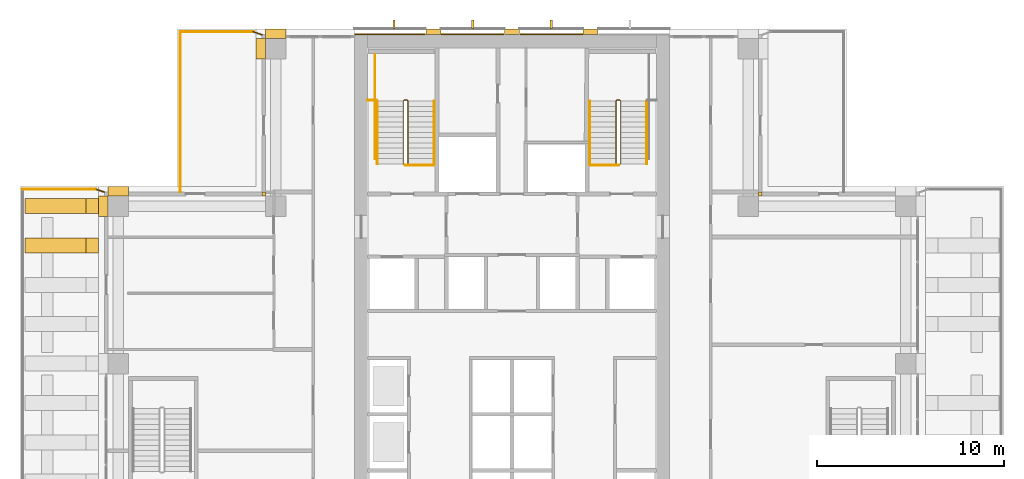
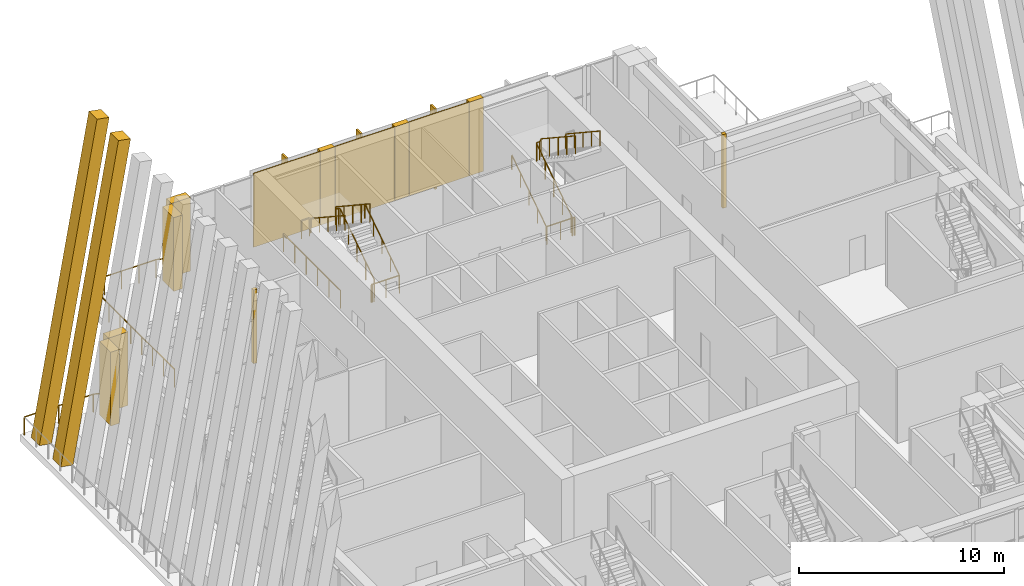
# One storey, part 17 of 19: 17 coverings, 15 railings.
"""IFC4 building model written with IfcOpenShell, lengths in metres."""

from ifc_helpers import new_model, si_unit, direction, frame, origin, origin_2d, place, context, subcontext, project, spatial, polyline, rectangle, outline, extrude, material, layer, layer_set, material_profile, profile_set, type_object, element, save


model = new_model("IFC4")

# Units and contexts
model_context = context("Model", 3, precision=1e-05, world=origin(), true_north=direction((0.0, 1.0)))
body_context = subcontext(model_context, "Body", "Model", "MODEL_VIEW")
ifc_project = project(units=[si_unit("LENGTHUNIT", "METRE"), si_unit("AREAUNIT", "SQUARE_METRE"), si_unit("VOLUMEUNIT", "CUBIC_METRE"), si_unit("PLANEANGLEUNIT", "RADIAN"), si_unit("MASSUNIT", "GRAM", prefix="KILO")], contexts=[model_context])

# Site, building, storey
site_placement = place(None, origin())
site = spatial("IfcSite", under=ifc_project, at=site_placement, CompositionType="ELEMENT")
building_placement = place(site_placement, origin())
building = spatial("IfcBuilding", under=site, at=building_placement, Name="Vermilion Ogive Tower", CompositionType="ELEMENT")
storey_placement = place(building_placement, frame((0.0, 0.0, 128.300048828125)))
storey = spatial("IfcBuildingStorey", under=building, at=storey_placement, Name="L32", CompositionType="ELEMENT", Elevation=128.300048828125)

# Coverings
ifc_material_1 = material(Name="Glazed ceramic screen")
ifc_layer = layer(ifc_material_1, 0.14990234375)
ifc_layer_set = layer_set([ifc_layer], Name="Ceramic solar screen fin")
covering_type_1 = type_object("IfcCoveringType", Name="Ceramic solar screen fin", PredefinedType="CLADDING", material=ifc_layer_set)
covering_1_placement = place(storey_placement, frame((0.0, 0.0, -0.400146484375)))
element("IfcCovering", 1, at=covering_1_placement, inside=storey, type_object=covering_type_1, Name="Solar screen blade N1", PredefinedType="CLADDING", context=body_context, shape_type="SweptSolid", body=[
    extrude(outline(polyline([(-6.360107421875, 22.08203125), (-6.239990234375, 22.08203125), (-6.239990234375, 22.531982421875), (-6.360107421875, 22.531982421875), (-6.360107421875, 22.08203125)])), origin(), (0.0, 0.0, 1.0), 4.800048828125),
])
covering_2_placement = place(storey_placement, frame((0.0, 0.0, -0.400146484375)))
element("IfcCovering", 2, at=covering_2_placement, inside=storey, type_object=covering_type_1, Name="Solar screen blade N2", PredefinedType="CLADDING", context=body_context, shape_type="SweptSolid", body=[
    extrude(outline(polyline([(-2.159912109375, 22.08203125), (-2.0400390625, 22.08203125), (-2.0400390625, 22.531982421875), (-2.159912109375, 22.531982421875), (-2.159912109375, 22.08203125)])), origin(), (0.0, 0.0, 1.0), 4.800048828125),
])
covering_3_placement = place(storey_placement, frame((0.0, 0.0, -0.400146484375)))
element("IfcCovering", 3, at=covering_3_placement, inside=storey, type_object=covering_type_1, Name="Solar screen blade N3", PredefinedType="CLADDING", context=body_context, shape_type="SweptSolid", body=[
    extrude(outline(polyline([(2.0400390625, 22.08203125), (2.159912109375, 22.08203125), (2.159912109375, 22.531982421875), (2.0400390625, 22.531982421875), (2.0400390625, 22.08203125)])), origin(), (0.0, 0.0, 1.0), 4.800048828125),
])

# Railings
ifc_material_2 = material(Name="Steel S355 painted", Category="steel")
railing_type_1 = type_object("IfcRailingType", Name="Stair guard 1100", PredefinedType="GUARDRAIL", material=ifc_material_2)
railing_1_placement = place(storey_placement, frame((-5.75, 14.800048828125, 0.0)))
element("IfcRailing", 4, at=railing_1_placement, inside=storey, type_object=railing_type_1, Name="L32 ST1 stair guard 4", PredefinedType="GUARDRAIL", context=body_context, shape_type="SweptSolid", body=[
    extrude(rectangle(XDim=0.048095703125, YDim=0.048095703125, at=origin_2d()), frame((0.0, 0.0, 1.076171875), z_axis=(1.0, 0.0, 0.0), x_axis=(0.0, 1.0, 0.0)), (0.0, 0.0, 1.0), 0.14990234375),
    extrude(rectangle(XDim=0.048095703125, YDim=0.048095703125, at=origin_2d()), frame((0.14990234375, 0.0, 1.076171875), z_axis=(0.253185614162, 0.253185614162, 0.933699142959), x_axis=(-0.707106781187, 0.707106781187, 0.0)), (0.0, 0.0, 1.0), 0.19775390625),
    extrude(rectangle(XDim=0.048095703125, YDim=0.048095703125, at=origin_2d()), frame((0.199951171875, 0.050048828125, 1.2607421875), z_axis=(0.0, 0.834858096282, 0.550465220583), x_axis=(-1.0, 0.0, 0.0)), (0.0, 0.0, 1.0), 4.0244140625),
    extrude(rectangle(XDim=0.048095703125, YDim=0.048095703125, at=origin_2d()), frame((0.199951171875, 3.409912109375, 3.47607421875), z_axis=(-0.707106781187, 0.707106781187, 0.0), x_axis=(-0.707106781187, -0.707106781187, 0.0)), (0.0, 0.0, 1.0), 0.07080078125),
    extrude(rectangle(XDim=0.048095703125, YDim=0.048095703125, at=origin_2d()), frame((0.14990234375, 3.4599609375, 3.47607421875), z_axis=(-1.0, 0.0, 0.0), x_axis=(0.0, -1.0, 0.0)), (0.0, 0.0, 1.0), 0.14990234375),
    extrude(rectangle(XDim=0.048095703125, YDim=0.048095703125, at=origin_2d()), frame((0.0, 3.4599609375, 3.47607421875), z_axis=(-0.253185614162, -0.253185614162, 0.933699142959), x_axis=(0.707106781187, -0.707106781187, 0.0)), (0.0, 0.0, 1.0), 0.19775390625),
    extrude(rectangle(XDim=0.048095703125, YDim=0.048095703125, at=origin_2d()), frame((-0.050048828125, 3.409912109375, 3.66064453125), z_axis=(0.0, -0.83483021737, 0.550507500554), x_axis=(1.0, 0.0, 0.0)), (0.0, 0.0, 1.0), 4.024658203125),
    extrude(rectangle(XDim=0.0419921875, YDim=0.0419921875, at=origin_2d()), origin(), (0.0, 0.0, 1.0), 1.052001953125),
    extrude(rectangle(XDim=0.0419921875, YDim=0.0419921875, at=origin_2d()), frame((0.14990234375, 0.0, 0.0)), (0.0, 0.0, 1.0), 1.052001953125),
    extrude(rectangle(XDim=0.0419921875, YDim=0.0419921875, at=origin_2d()), frame((0.199951171875, 0.050048828125, 0.1845703125)), (0.0, 0.0, 1.0), 1.052001953125),
    extrude(rectangle(XDim=0.0419921875, YDim=0.0419921875, at=origin_2d()), frame((0.199951171875, 0.89013671875, 0.73828125)), (0.0, 0.0, 1.0), 1.052001953125),
    extrude(rectangle(XDim=0.0419921875, YDim=0.0419921875, at=origin_2d()), frame((0.199951171875, 1.72998046875, 1.292236328125)), (0.0, 0.0, 1.0), 1.052001953125),
    extrude(rectangle(XDim=0.0419921875, YDim=0.0419921875, at=origin_2d()), frame((0.199951171875, 2.56982421875, 1.84619140625)), (0.0, 0.0, 1.0), 1.052001953125),
    extrude(rectangle(XDim=0.0419921875, YDim=0.0419921875, at=origin_2d()), frame((0.199951171875, 3.409912109375, 2.39990234375)), (0.0, 0.0, 1.0), 1.052001953125),
    extrude(rectangle(XDim=0.0419921875, YDim=0.0419921875, at=origin_2d()), frame((0.14990234375, 3.4599609375, 2.39990234375)), (0.0, 0.0, 1.0), 1.052001953125),
    extrude(rectangle(XDim=0.0419921875, YDim=0.0419921875, at=origin_2d()), frame((0.0, 3.4599609375, 2.39990234375)), (0.0, 0.0, 1.0), 1.052001953125),
    extrude(rectangle(XDim=0.0419921875, YDim=0.0419921875, at=origin_2d()), frame((-0.050048828125, 3.409912109375, 2.58447265625)), (0.0, 0.0, 1.0), 1.052001953125),
    extrude(rectangle(XDim=0.0419921875, YDim=0.0419921875, at=origin_2d()), frame((-0.050048828125, 2.56982421875, 3.138427734375)), (0.0, 0.0, 1.0), 1.052001953125),
    extrude(rectangle(XDim=0.0419921875, YDim=0.0419921875, at=origin_2d()), frame((-0.050048828125, 1.72998046875, 3.6923828125)), (0.0, 0.0, 1.0), 1.052001953125),
    extrude(rectangle(XDim=0.0419921875, YDim=0.0419921875, at=origin_2d()), frame((-0.050048828125, 0.89013671875, 4.24609375)), (0.0, 0.0, 1.0), 1.052001953125),
    extrude(rectangle(XDim=0.0419921875, YDim=0.0419921875, at=origin_2d()), frame((-0.050048828125, 0.050048828125, 4.800048828125)), (0.0, 0.0, 1.0), 1.052001953125),
])
railing_2_placement = place(storey_placement, frame((5.75, 14.800048828125, 0.0)))
element("IfcRailing", 5, at=railing_2_placement, inside=storey, type_object=railing_type_1, Name="L32 ST2 stair guard 4", PredefinedType="GUARDRAIL", context=body_context, shape_type="SweptSolid", body=[
    extrude(rectangle(XDim=0.048095703125, YDim=0.048095703125, at=origin_2d()), frame((0.0, 0.0, 1.076171875), z_axis=(-1.0, 0.0, 0.0), x_axis=(0.0, -1.0, 0.0)), (0.0, 0.0, 1.0), 0.14990234375),
    extrude(rectangle(XDim=0.048095703125, YDim=0.048095703125, at=origin_2d()), frame((-0.14990234375, 0.0, 1.076171875), z_axis=(-0.253185614162, 0.253185614162, 0.933699142959), x_axis=(-0.707106781187, -0.707106781187, 0.0)), (0.0, 0.0, 1.0), 0.19775390625),
    extrude(rectangle(XDim=0.048095703125, YDim=0.048095703125, at=origin_2d()), frame((-0.199951171875, 0.050048828125, 1.2607421875), z_axis=(0.0, 0.834858096282, 0.550465220583), x_axis=(-1.0, 0.0, 0.0)), (0.0, 0.0, 1.0), 4.0244140625),
    extrude(rectangle(XDim=0.048095703125, YDim=0.048095703125, at=origin_2d()), frame((-0.199951171875, 3.409912109375, 3.47607421875), z_axis=(0.707106781187, 0.707106781187, 0.0), x_axis=(-0.707106781187, 0.707106781187, 0.0)), (0.0, 0.0, 1.0), 0.07080078125),
    extrude(rectangle(XDim=0.048095703125, YDim=0.048095703125, at=origin_2d()), frame((-0.14990234375, 3.4599609375, 3.47607421875), z_axis=(1.0, 0.0, 0.0), x_axis=(0.0, 1.0, 0.0)), (0.0, 0.0, 1.0), 0.14990234375),
    extrude(rectangle(XDim=0.048095703125, YDim=0.048095703125, at=origin_2d()), frame((0.0, 3.4599609375, 3.47607421875), z_axis=(0.253185614162, -0.253185614162, 0.933699142959), x_axis=(0.707106781187, 0.707106781187, 0.0)), (0.0, 0.0, 1.0), 0.19775390625),
    extrude(rectangle(XDim=0.048095703125, YDim=0.048095703125, at=origin_2d()), frame((0.050048828125, 3.409912109375, 3.66064453125), z_axis=(0.0, -0.83483021737, 0.550507500554), x_axis=(1.0, 0.0, 0.0)), (0.0, 0.0, 1.0), 4.024658203125),
    extrude(rectangle(XDim=0.0419921875, YDim=0.0419921875, at=origin_2d()), origin(), (0.0, 0.0, 1.0), 1.052001953125),
    extrude(rectangle(XDim=0.0419921875, YDim=0.0419921875, at=origin_2d()), frame((-0.14990234375, 0.0, 0.0)), (0.0, 0.0, 1.0), 1.052001953125),
    extrude(rectangle(XDim=0.0419921875, YDim=0.0419921875, at=origin_2d()), frame((-0.199951171875, 0.050048828125, 0.1845703125)), (0.0, 0.0, 1.0), 1.052001953125),
    extrude(rectangle(XDim=0.0419921875, YDim=0.0419921875, at=origin_2d()), frame((-0.199951171875, 0.89013671875, 0.73828125)), (0.0, 0.0, 1.0), 1.052001953125),
    extrude(rectangle(XDim=0.0419921875, YDim=0.0419921875, at=origin_2d()), frame((-0.199951171875, 1.72998046875, 1.292236328125)), (0.0, 0.0, 1.0), 1.052001953125),
    extrude(rectangle(XDim=0.0419921875, YDim=0.0419921875, at=origin_2d()), frame((-0.199951171875, 2.56982421875, 1.84619140625)), (0.0, 0.0, 1.0), 1.052001953125),
    extrude(rectangle(XDim=0.0419921875, YDim=0.0419921875, at=origin_2d()), frame((-0.199951171875, 3.409912109375, 2.39990234375)), (0.0, 0.0, 1.0), 1.052001953125),
    extrude(rectangle(XDim=0.0419921875, YDim=0.0419921875, at=origin_2d()), frame((-0.14990234375, 3.4599609375, 2.39990234375)), (0.0, 0.0, 1.0), 1.052001953125),
    extrude(rectangle(XDim=0.0419921875, YDim=0.0419921875, at=origin_2d()), frame((0.0, 3.4599609375, 2.39990234375)), (0.0, 0.0, 1.0), 1.052001953125),
    extrude(rectangle(XDim=0.0419921875, YDim=0.0419921875, at=origin_2d()), frame((0.050048828125, 3.409912109375, 2.58447265625)), (0.0, 0.0, 1.0), 1.052001953125),
    extrude(rectangle(XDim=0.0419921875, YDim=0.0419921875, at=origin_2d()), frame((0.050048828125, 2.56982421875, 3.138427734375)), (0.0, 0.0, 1.0), 1.052001953125),
    extrude(rectangle(XDim=0.0419921875, YDim=0.0419921875, at=origin_2d()), frame((0.050048828125, 1.72998046875, 3.6923828125)), (0.0, 0.0, 1.0), 1.052001953125),
    extrude(rectangle(XDim=0.0419921875, YDim=0.0419921875, at=origin_2d()), frame((0.050048828125, 0.89013671875, 4.24609375)), (0.0, 0.0, 1.0), 1.052001953125),
    extrude(rectangle(XDim=0.0419921875, YDim=0.0419921875, at=origin_2d()), frame((0.050048828125, 0.050048828125, 4.800048828125)), (0.0, 0.0, 1.0), 1.052001953125),
])
railing_3_placement = place(storey_placement, frame((-7.699951171875, 18.260009765625, 2.39990234375)))
element("IfcRailing", 6, at=railing_3_placement, inside=storey, type_object=railing_type_1, Name="L32 landing guard", PredefinedType="GUARDRAIL", context=body_context, shape_type="SweptSolid", body=[
    extrude(rectangle(XDim=0.048095703125, YDim=0.048095703125, at=origin_2d()), frame((0.0, 0.0, 1.076171875), z_axis=(1.0, 0.0, 0.0), x_axis=(0.0, 1.0, 0.0)), (0.0, 0.0, 1.0), 0.449951171875),
    extrude(rectangle(XDim=0.0419921875, YDim=0.0419921875, at=origin_2d()), origin(), (0.0, 0.0, 1.0), 1.052001953125),
    extrude(rectangle(XDim=0.0419921875, YDim=0.0419921875, at=origin_2d()), frame((0.449951171875, 0.0, 0.0)), (0.0, 0.0, 1.0), 1.052001953125),
])
railing_4_placement = place(storey_placement, frame((-7.31005859375, 20.68994140625, 0.0)))
element("IfcRailing", 7, at=railing_4_placement, inside=storey, type_object=railing_type_1, Name="L32 stair opening guard", PredefinedType="GUARDRAIL", context=body_context, shape_type="SweptSolid", body=[
    extrude(rectangle(XDim=0.048095703125, YDim=0.048095703125, at=origin_2d()), frame((0.0, 0.0, 1.076171875), z_axis=(0.0, -1.0, 0.0), x_axis=(1.0, 0.0, 0.0)), (0.0, 0.0, 1.0), 5.564208984375),
    extrude(rectangle(XDim=0.0419921875, YDim=0.0419921875, at=origin_2d()), origin(), (0.0, 0.0, 1.0), 1.052001953125),
    extrude(rectangle(XDim=0.0419921875, YDim=0.0419921875, at=origin_2d()), frame((0.0, -1.11279296875, 0.0)), (0.0, 0.0, 1.0), 1.052001953125),
    extrude(rectangle(XDim=0.0419921875, YDim=0.0419921875, at=origin_2d()), frame((0.0, -2.2255859375, 0.0)), (0.0, 0.0, 1.0), 1.052001953125),
    extrude(rectangle(XDim=0.0419921875, YDim=0.0419921875, at=origin_2d()), frame((0.0, -3.338623046875, 0.0)), (0.0, 0.0, 1.0), 1.052001953125),
    extrude(rectangle(XDim=0.0419921875, YDim=0.0419921875, at=origin_2d()), frame((0.0, -4.451416015625, 0.0)), (0.0, 0.0, 1.0), 1.052001953125),
    extrude(rectangle(XDim=0.0419921875, YDim=0.0419921875, at=origin_2d()), frame((0.0, -5.564208984375, 0.0)), (0.0, 0.0, 1.0), 1.052001953125),
])
for number, where, name in (
    (8, (-5.699951171875, 14.7900390625, 0.0), "L32 stair opening guard"),
    (9, (4.159912109375, 14.7900390625, 0.0), "L32 stair opening guard"),
):
    element("IfcRailing", number, at=place(storey_placement, frame(where)), inside=storey, type_object=railing_type_1, Name=name, PredefinedType="GUARDRAIL", context=body_context, shape_type="SweptSolid", body=[
        extrude(rectangle(XDim=0.048095703125, YDim=0.048095703125, at=origin_2d()), frame((0.0, 0.0, 1.076171875), z_axis=(1.0, 0.0, 0.0), x_axis=(0.0, 1.0, 0.0)), (0.0, 0.0, 1.0), 1.5400390625),
        extrude(rectangle(XDim=0.0419921875, YDim=0.0419921875, at=origin_2d()), origin(), (0.0, 0.0, 1.0), 1.052001953125),
        extrude(rectangle(XDim=0.0419921875, YDim=0.0419921875, at=origin_2d()), frame((0.77001953125, 0.0, 0.0)), (0.0, 0.0, 1.0), 1.052001953125),
        extrude(rectangle(XDim=0.0419921875, YDim=0.0419921875, at=origin_2d()), frame((1.5400390625, 0.0, 0.0)), (0.0, 0.0, 1.0), 1.052001953125),
    ])
ifc_material_3 = material(Name="Stainless steel", Category="steel")
railing_type_2 = type_object("IfcRailingType", Name="Stair handrail 900", PredefinedType="HANDRAIL", material=ifc_material_3)
railing_5_placement = place(storey_placement, frame((-4.14990234375, 14.85009765625, 0.1845703125)))
element("IfcRailing", 10, at=railing_5_placement, inside=storey, type_object=railing_type_2, Name="L32 ST1 stair handrail 1", PredefinedType="HANDRAIL", context=body_context, shape_type="SweptSolid", body=[
    extrude(rectangle(XDim=0.048095703125, YDim=0.048095703125, at=origin_2d()), frame((0.0, 0.0, 0.8759765625), z_axis=(0.0, 0.834858096282, 0.550465220583), x_axis=(-1.0, 0.0, 0.0)), (0.0, 0.0, 1.0), 4.0244140625),
    extrude(rectangle(XDim=0.0419921875, YDim=0.0419921875, at=origin_2d()), origin(), (0.0, 0.0, 1.0), 0.851806640625),
    extrude(rectangle(XDim=0.0419921875, YDim=0.0419921875, at=origin_2d()), frame((0.0, 0.83984375, 0.5537109375)), (0.0, 0.0, 1.0), 0.851806640625),
    extrude(rectangle(XDim=0.0419921875, YDim=0.0419921875, at=origin_2d()), frame((0.0, 1.679931640625, 1.107666015625)), (0.0, 0.0, 1.0), 0.851806640625),
    extrude(rectangle(XDim=0.0419921875, YDim=0.0419921875, at=origin_2d()), frame((0.0, 2.52001953125, 1.66162109375)), (0.0, 0.0, 1.0), 0.851806640625),
    extrude(rectangle(XDim=0.0419921875, YDim=0.0419921875, at=origin_2d()), frame((0.0, 3.35986328125, 2.21533203125)), (0.0, 0.0, 1.0), 0.851806640625),
])
railing_6_placement = place(storey_placement, frame((-7.199951171875, 18.2099609375, 2.58447265625)))
element("IfcRailing", 11, at=railing_6_placement, inside=storey, type_object=railing_type_2, Name="L32 ST1 stair handrail 2", PredefinedType="HANDRAIL", context=body_context, shape_type="SweptSolid", body=[
    extrude(rectangle(XDim=0.048095703125, YDim=0.048095703125, at=origin_2d()), frame((0.0, 0.0, 0.8759765625), z_axis=(0.0, -0.83483021737, 0.550507500554), x_axis=(1.0, 0.0, 0.0)), (0.0, 0.0, 1.0), 4.024658203125),
    extrude(rectangle(XDim=0.0419921875, YDim=0.0419921875, at=origin_2d()), origin(), (0.0, 0.0, 1.0), 0.851806640625),
    extrude(rectangle(XDim=0.0419921875, YDim=0.0419921875, at=origin_2d()), frame((0.0, -0.83984375, 0.553955078125)), (0.0, 0.0, 1.0), 0.851806640625),
    extrude(rectangle(XDim=0.0419921875, YDim=0.0419921875, at=origin_2d()), frame((0.0, -1.679931640625, 1.10791015625)), (0.0, 0.0, 1.0), 0.851806640625),
    extrude(rectangle(XDim=0.0419921875, YDim=0.0419921875, at=origin_2d()), frame((0.0, -2.52001953125, 1.66162109375)), (0.0, 0.0, 1.0), 0.851806640625),
    extrude(rectangle(XDim=0.0419921875, YDim=0.0419921875, at=origin_2d()), frame((0.0, -3.35986328125, 2.215576171875)), (0.0, 0.0, 1.0), 0.851806640625),
])
railing_7_placement = place(storey_placement, frame((4.14990234375, 14.85009765625, 0.1845703125)))
element("IfcRailing", 12, at=railing_7_placement, inside=storey, type_object=railing_type_2, Name="L32 ST2 stair handrail 1", PredefinedType="HANDRAIL", context=body_context, shape_type="SweptSolid", body=[
    extrude(rectangle(XDim=0.048095703125, YDim=0.048095703125, at=origin_2d()), frame((0.0, 0.0, 0.8759765625), z_axis=(0.0, 0.834858096282, 0.550465220583), x_axis=(-1.0, 0.0, 0.0)), (0.0, 0.0, 1.0), 4.0244140625),
    extrude(rectangle(XDim=0.0419921875, YDim=0.0419921875, at=origin_2d()), origin(), (0.0, 0.0, 1.0), 0.851806640625),
    extrude(rectangle(XDim=0.0419921875, YDim=0.0419921875, at=origin_2d()), frame((0.0, 0.83984375, 0.5537109375)), (0.0, 0.0, 1.0), 0.851806640625),
    extrude(rectangle(XDim=0.0419921875, YDim=0.0419921875, at=origin_2d()), frame((0.0, 1.679931640625, 1.107666015625)), (0.0, 0.0, 1.0), 0.851806640625),
    extrude(rectangle(XDim=0.0419921875, YDim=0.0419921875, at=origin_2d()), frame((0.0, 2.52001953125, 1.66162109375)), (0.0, 0.0, 1.0), 0.851806640625),
    extrude(rectangle(XDim=0.0419921875, YDim=0.0419921875, at=origin_2d()), frame((0.0, 3.35986328125, 2.21533203125)), (0.0, 0.0, 1.0), 0.851806640625),
])
railing_8_placement = place(storey_placement, frame((7.199951171875, 18.2099609375, 2.58447265625)))
element("IfcRailing", 13, at=railing_8_placement, inside=storey, type_object=railing_type_2, Name="L32 ST2 stair handrail 2", PredefinedType="HANDRAIL", context=body_context, shape_type="SweptSolid", body=[
    extrude(rectangle(XDim=0.048095703125, YDim=0.048095703125, at=origin_2d()), frame((0.0, 0.0, 0.8759765625), z_axis=(0.0, -0.83483021737, 0.550507500554), x_axis=(1.0, 0.0, 0.0)), (0.0, 0.0, 1.0), 4.024658203125),
    extrude(rectangle(XDim=0.0419921875, YDim=0.0419921875, at=origin_2d()), origin(), (0.0, 0.0, 1.0), 0.851806640625),
    extrude(rectangle(XDim=0.0419921875, YDim=0.0419921875, at=origin_2d()), frame((0.0, -0.83984375, 0.553955078125)), (0.0, 0.0, 1.0), 0.851806640625),
    extrude(rectangle(XDim=0.0419921875, YDim=0.0419921875, at=origin_2d()), frame((0.0, -1.679931640625, 1.10791015625)), (0.0, 0.0, 1.0), 0.851806640625),
    extrude(rectangle(XDim=0.0419921875, YDim=0.0419921875, at=origin_2d()), frame((0.0, -2.52001953125, 1.66162109375)), (0.0, 0.0, 1.0), 0.851806640625),
    extrude(rectangle(XDim=0.0419921875, YDim=0.0419921875, at=origin_2d()), frame((0.0, -3.35986328125, 2.215576171875)), (0.0, 0.0, 1.0), 0.851806640625),
])

# Coverings
ifc_material_4 = material(Name="Stone cladding", Category="masonry")
covering_type_2 = type_object("IfcCoveringType", Name="Stone buttress pier", PredefinedType="CLADDING", material=ifc_material_4)
covering_4_placement = place(storey_placement, origin())
element("IfcCovering", 14, at=covering_4_placement, inside=storey, type_object=covering_type_2, Name="Stone buttress pier N1", PredefinedType="CLADDING", context=body_context, shape_type="SweptSolid", body=[
    extrude(outline(polyline([(-4.60009765625, 21.75), (-3.800048828125, 21.75), (-3.800048828125, 22.050048828125), (-4.60009765625, 22.050048828125), (-4.60009765625, 21.75)])), origin(), (0.0, 0.0, 1.0), 4.39990234375),
])
covering_5_placement = place(storey_placement, origin())
element("IfcCovering", 15, at=covering_5_placement, inside=storey, type_object=covering_type_2, Name="Stone buttress pier N2", PredefinedType="CLADDING", context=body_context, shape_type="SweptSolid", body=[
    extrude(outline(polyline([(-0.39990234375, 21.75), (0.39990234375, 21.75), (0.39990234375, 22.050048828125), (-0.39990234375, 22.050048828125), (-0.39990234375, 21.75)])), origin(), (0.0, 0.0, 1.0), 4.39990234375),
])
covering_6_placement = place(storey_placement, origin())
element("IfcCovering", 16, at=covering_6_placement, inside=storey, type_object=covering_type_2, Name="Stone buttress pier N3", PredefinedType="CLADDING", context=body_context, shape_type="SweptSolid", body=[
    extrude(outline(polyline([(3.800048828125, 21.75), (4.60009765625, 21.75), (4.60009765625, 22.050048828125), (3.800048828125, 22.050048828125), (3.800048828125, 21.75)])), origin(), (0.0, 0.0, 1.0), 4.39990234375),
])
ifc_material_5 = material(Name="Stone cladding", Category="masonry")
covering_type_3 = type_object("IfcCoveringType", Name="Stone cladding panel", PredefinedType="CLADDING", material=ifc_material_5)
covering_7_placement = place(storey_placement, origin())
element("IfcCovering", 17, at=covering_7_placement, inside=storey, type_object=covering_type_3, Name="Stone cladding panel N1", PredefinedType="CLADDING", context=body_context, shape_type="SweptSolid", body=[
    extrude(outline(polyline([(-8.389892578125, 21.75), (-4.6298828125, 21.75), (-4.6298828125, 21.81005859375), (-8.389892578125, 21.81005859375), (-8.389892578125, 21.75)])), origin(), (0.0, 0.0, 1.0), 4.39990234375),
])
covering_8_placement = place(storey_placement, origin())
element("IfcCovering", 18, at=covering_8_placement, inside=storey, type_object=covering_type_3, Name="Stone cladding panel N2", PredefinedType="CLADDING", context=body_context, shape_type="SweptSolid", body=[
    extrude(outline(polyline([(-3.77001953125, 21.75), (-0.429931640625, 21.75), (-0.429931640625, 21.81005859375), (-3.77001953125, 21.81005859375), (-3.77001953125, 21.75)])), origin(), (0.0, 0.0, 1.0), 4.39990234375),
])
covering_9_placement = place(storey_placement, origin())
element("IfcCovering", 19, at=covering_9_placement, inside=storey, type_object=covering_type_3, Name="Stone cladding panel N3", PredefinedType="CLADDING", context=body_context, shape_type="SweptSolid", body=[
    extrude(outline(polyline([(0.429931640625, 21.75), (3.77001953125, 21.75), (3.77001953125, 21.81005859375), (0.429931640625, 21.81005859375), (0.429931640625, 21.75)])), origin(), (0.0, 0.0, 1.0), 4.39990234375),
])
ifc_material_6 = material(Name="Stone cladding", Category="masonry")
ifc_material_profile = material_profile(ifc_material_6, rectangle(XDim=0.800048828125, YDim=0.699951171875, at=origin_2d()), Name="STONE 800x700")
ifc_profile_set = profile_set([ifc_material_profile], Name="Stone cladding")
covering_type_4 = type_object("IfcCoveringType", Name="Stone flare fin", PredefinedType="CLADDING", material=ifc_profile_set)
for number, where, z_axis, x_axis, name in (
    (20, (-25.64990234375, 10.5, 0.06103515625), (0.174779768693, 0.0, 0.984607552508), (0.0, 1.0, 0.0), "Stone flare fin WL12"),
    (21, (-25.64990234375, 12.60009765625, 0.06103515625), (0.174779768693, 0.0, 0.984607552508), (0.0, 1.0, 0.0), "Stone flare fin WL13"),
):
    element("IfcCovering", number, at=place(storey_placement, frame(where, z_axis=z_axis, x_axis=x_axis)), inside=storey, type_object=covering_type_4, Name=name, PredefinedType="CLADDING", context=body_context, shape_type="SweptSolid", body=[
        extrude(rectangle(XDim=0.800048828125, YDim=0.699951171875, at=origin_2d()), origin(), (0.0, 0.0, 1.0), 18.62548828125),
    ])
ifc_material_7 = material(Name="Stone cladding", Category="masonry")
covering_type_5 = type_object("IfcCoveringType", Name="Stone pier", PredefinedType="CLADDING", material=ifc_material_7)
covering_10_placement = place(storey_placement, origin())
element("IfcCovering", 22, at=covering_10_placement, inside=storey, type_object=covering_type_5, Name="Stone pier P-0126+210N2", PredefinedType="CLADDING", context=body_context, shape_type="SweptSolid", body=[
    extrude(outline(polyline([(-13.14990234375, 21.550048828125), (-13.14990234375, 22.050048828125), (-12.050048828125, 22.050048828125), (-12.050048828125, 21.550048828125), (-12.050048828125, 21.550048828125), (-13.14990234375, 21.550048828125)])), origin(), (0.0, 0.0, 1.0), 4.39990234375),
])
covering_11_placement = place(storey_placement, origin())
element("IfcCovering", 23, at=covering_11_placement, inside=storey, type_object=covering_type_5, Name="Stone pier P-0126+210X5", PredefinedType="CLADDING", context=body_context, shape_type="SweptSolid", body=[
    extrude(outline(polyline([(-13.64990234375, 21.550048828125), (-13.14990234375, 21.550048828125), (-13.14990234375, 20.449951171875), (-13.64990234375, 20.449951171875), (-13.64990234375, 21.550048828125)])), origin(), (0.0, 0.0, 1.0), 4.39990234375),
])
covering_12_placement = place(storey_placement, origin())
element("IfcCovering", 24, at=covering_12_placement, inside=storey, type_object=covering_type_5, Name="Stone pier P-0210+126X6", PredefinedType="CLADDING", context=body_context, shape_type="SweptSolid", body=[
    extrude(outline(polyline([(-21.550048828125, 13.64990234375), (-20.449951171875, 13.64990234375), (-20.449951171875, 13.14990234375), (-21.550048828125, 13.14990234375), (-21.550048828125, 13.64990234375)])), origin(), (0.0, 0.0, 1.0), 4.39990234375),
])
covering_13_placement = place(storey_placement, origin())
element("IfcCovering", 25, at=covering_13_placement, inside=storey, type_object=covering_type_5, Name="Stone pier P-0210+126W", PredefinedType="CLADDING", context=body_context, shape_type="SweptSolid", body=[
    extrude(outline(polyline([(-22.050048828125, 13.14990234375), (-21.550048828125, 13.14990234375), (-21.550048828125, 12.050048828125), (-22.050048828125, 12.050048828125), (-22.050048828125, 13.14990234375)])), origin(), (0.0, 0.0, 1.0), 4.39990234375),
])
covering_14_placement = place(storey_placement, origin())
element("IfcCovering", 26, at=covering_14_placement, inside=storey, type_object=covering_type_5, Name="Stone corner pier X3E1", PredefinedType="CLADDING", context=body_context, shape_type="SweptSolid", body=[
    extrude(outline(polyline([(13.14990234375, 13.14990234375), (13.14990234375, 13.35009765625), (13.35009765625, 13.35009765625), (13.35009765625, 13.14990234375), (13.14990234375, 13.14990234375)])), origin(), (0.0, 0.0, 1.0), 4.39990234375),
])
covering_15_placement = place(storey_placement, origin())
element("IfcCovering", 27, at=covering_15_placement, inside=storey, type_object=covering_type_5, Name="Stone corner pier X5E1", PredefinedType="CLADDING", context=body_context, shape_type="SweptSolid", body=[
    extrude(outline(polyline([(-13.14990234375, 13.14990234375), (-13.35009765625, 13.14990234375), (-13.35009765625, 13.35009765625), (-13.14990234375, 13.35009765625), (-13.14990234375, 13.14990234375)])), origin(), (0.0, 0.0, 1.0), 4.39990234375),
])

# Railings
ifc_material_8 = material(Name="Stainless steel and glass", Category="steel")
railing_type_3 = type_object("IfcRailingType", Name="Terrace guard", PredefinedType="GUARDRAIL", material=ifc_material_8)
railing_9_placement = place(storey_placement, frame((-26.10009765625, 13.5, 0.0)))
element("IfcRailing", 28, at=railing_9_placement, inside=storey, type_object=railing_type_3, Name="Terrace guard 2.1.4", PredefinedType="GUARDRAIL", context=body_context, shape_type="SweptSolid", body=[
    extrude(rectangle(XDim=0.048095703125, YDim=0.048095703125, at=origin_2d()), frame((0.0, 0.0, 1.076171875), z_axis=(1.0, 0.0, 0.0), x_axis=(0.0, 1.0, 0.0)), (0.0, 0.0, 1.0), 3.900146484375),
    extrude(rectangle(XDim=0.0419921875, YDim=0.0419921875, at=origin_2d()), origin(), (0.0, 0.0, 1.0), 1.052001953125),
    extrude(rectangle(XDim=0.0419921875, YDim=0.0419921875, at=origin_2d()), frame((0.97509765625, 0.0, 0.0)), (0.0, 0.0, 1.0), 1.052001953125),
    extrude(rectangle(XDim=0.0419921875, YDim=0.0419921875, at=origin_2d()), frame((1.9501953125, 0.0, 0.0)), (0.0, 0.0, 1.0), 1.052001953125),
    extrude(rectangle(XDim=0.0419921875, YDim=0.0419921875, at=origin_2d()), frame((2.925048828125, 0.0, 0.0)), (0.0, 0.0, 1.0), 1.052001953125),
    extrude(rectangle(XDim=0.0419921875, YDim=0.0419921875, at=origin_2d()), frame((3.900146484375, 0.0, 0.0)), (0.0, 0.0, 1.0), 1.052001953125),
])
railing_10_placement = place(storey_placement, frame((-22.199951171875, 13.5, 0.0)))
element("IfcRailing", 29, at=railing_10_placement, inside=storey, type_object=railing_type_3, Name="Terrace guard 2.1.5", PredefinedType="GUARDRAIL", context=body_context, shape_type="SweptSolid", body=[
    extrude(rectangle(XDim=0.048095703125, YDim=0.048095703125, at=origin_2d()), frame((0.0, 0.0, 1.076171875), z_axis=(0.948734763221, -0.316073328604, 0.0), x_axis=(0.316073328604, 0.948734763221, 0.0)), (0.0, 0.0, 1.0), 0.474365234375),
    extrude(rectangle(XDim=0.0419921875, YDim=0.0419921875, at=origin_2d()), origin(), (0.0, 0.0, 1.0), 1.052001953125),
    extrude(rectangle(XDim=0.0419921875, YDim=0.0419921875, at=origin_2d()), frame((0.449951171875, -0.14990234375, 0.0)), (0.0, 0.0, 1.0), 1.052001953125),
])
railing_11_placement = place(storey_placement, frame((-17.699951171875, 13.35009765625, 0.0)))
element("IfcRailing", 30, at=railing_11_placement, inside=storey, type_object=railing_type_3, Name="Terrace guard 3.1", PredefinedType="GUARDRAIL", context=body_context, shape_type="SweptSolid", body=[
    extrude(rectangle(XDim=0.048095703125, YDim=0.048095703125, at=origin_2d()), frame((0.0, 0.0, 1.076171875), z_axis=(0.0, 1.0, 0.0), x_axis=(-1.0, 0.0, 0.0)), (0.0, 0.0, 1.0), 8.5498046875),
    extrude(rectangle(XDim=0.0419921875, YDim=0.0419921875, at=origin_2d()), origin(), (0.0, 0.0, 1.0), 1.052001953125),
    extrude(rectangle(XDim=0.0419921875, YDim=0.0419921875, at=origin_2d()), frame((0.0, 1.06884765625, 0.0)), (0.0, 0.0, 1.0), 1.052001953125),
    extrude(rectangle(XDim=0.0419921875, YDim=0.0419921875, at=origin_2d()), frame((0.0, 2.137451171875, 0.0)), (0.0, 0.0, 1.0), 1.052001953125),
    extrude(rectangle(XDim=0.0419921875, YDim=0.0419921875, at=origin_2d()), frame((0.0, 3.2060546875, 0.0)), (0.0, 0.0, 1.0), 1.052001953125),
    extrude(rectangle(XDim=0.0419921875, YDim=0.0419921875, at=origin_2d()), frame((0.0, 4.27490234375, 0.0)), (0.0, 0.0, 1.0), 1.052001953125),
    extrude(rectangle(XDim=0.0419921875, YDim=0.0419921875, at=origin_2d()), frame((0.0, 5.34375, 0.0)), (0.0, 0.0, 1.0), 1.052001953125),
    extrude(rectangle(XDim=0.0419921875, YDim=0.0419921875, at=origin_2d()), frame((0.0, 6.412353515625, 0.0)), (0.0, 0.0, 1.0), 1.052001953125),
    extrude(rectangle(XDim=0.0419921875, YDim=0.0419921875, at=origin_2d()), frame((0.0, 7.48095703125, 0.0)), (0.0, 0.0, 1.0), 1.052001953125),
    extrude(rectangle(XDim=0.0419921875, YDim=0.0419921875, at=origin_2d()), frame((0.0, 8.5498046875, 0.0)), (0.0, 0.0, 1.0), 1.052001953125),
])
railing_12_placement = place(storey_placement, frame((-17.699951171875, 21.89990234375, 0.0)))
element("IfcRailing", 31, at=railing_12_placement, inside=storey, type_object=railing_type_3, Name="Terrace guard 3.1.2", PredefinedType="GUARDRAIL", context=body_context, shape_type="SweptSolid", body=[
    extrude(rectangle(XDim=0.048095703125, YDim=0.048095703125, at=origin_2d()), frame((0.0, 0.0, 1.076171875), z_axis=(1.0, 0.0, 0.0), x_axis=(0.0, 1.0, 0.0)), (0.0, 0.0, 1.0), 3.89990234375),
    extrude(rectangle(XDim=0.0419921875, YDim=0.0419921875, at=origin_2d()), origin(), (0.0, 0.0, 1.0), 1.052001953125),
    extrude(rectangle(XDim=0.0419921875, YDim=0.0419921875, at=origin_2d()), frame((0.97509765625, 0.0, 0.0)), (0.0, 0.0, 1.0), 1.052001953125),
    extrude(rectangle(XDim=0.0419921875, YDim=0.0419921875, at=origin_2d()), frame((1.949951171875, 0.0, 0.0)), (0.0, 0.0, 1.0), 1.052001953125),
    extrude(rectangle(XDim=0.0419921875, YDim=0.0419921875, at=origin_2d()), frame((2.9248046875, 0.0, 0.0)), (0.0, 0.0, 1.0), 1.052001953125),
    extrude(rectangle(XDim=0.0419921875, YDim=0.0419921875, at=origin_2d()), frame((3.89990234375, 0.0, 0.0)), (0.0, 0.0, 1.0), 1.052001953125),
])
railing_13_placement = place(storey_placement, frame((-13.800048828125, 21.89990234375, 0.0)))
element("IfcRailing", 32, at=railing_13_placement, inside=storey, type_object=railing_type_3, Name="Terrace guard 3.1.3", PredefinedType="GUARDRAIL", context=body_context, shape_type="SweptSolid", body=[
    extrude(rectangle(XDim=0.048095703125, YDim=0.048095703125, at=origin_2d()), frame((0.0, 0.0, 1.076171875), z_axis=(0.948734763221, -0.316073328604, 0.0), x_axis=(0.316073328604, 0.948734763221, 0.0)), (0.0, 0.0, 1.0), 0.474365234375),
    extrude(rectangle(XDim=0.0419921875, YDim=0.0419921875, at=origin_2d()), origin(), (0.0, 0.0, 1.0), 1.052001953125),
    extrude(rectangle(XDim=0.0419921875, YDim=0.0419921875, at=origin_2d()), frame((0.449951171875, -0.14990234375, 0.0)), (0.0, 0.0, 1.0), 1.052001953125),
])

save(model, "model.ifc")
